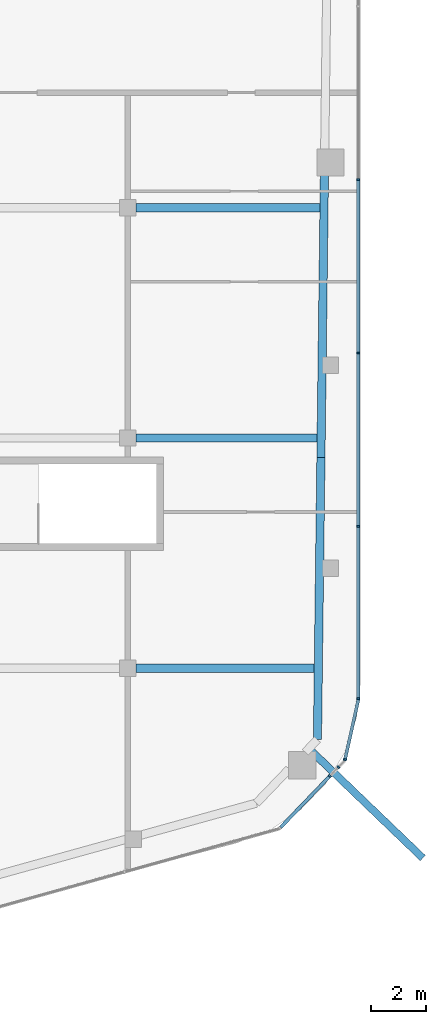
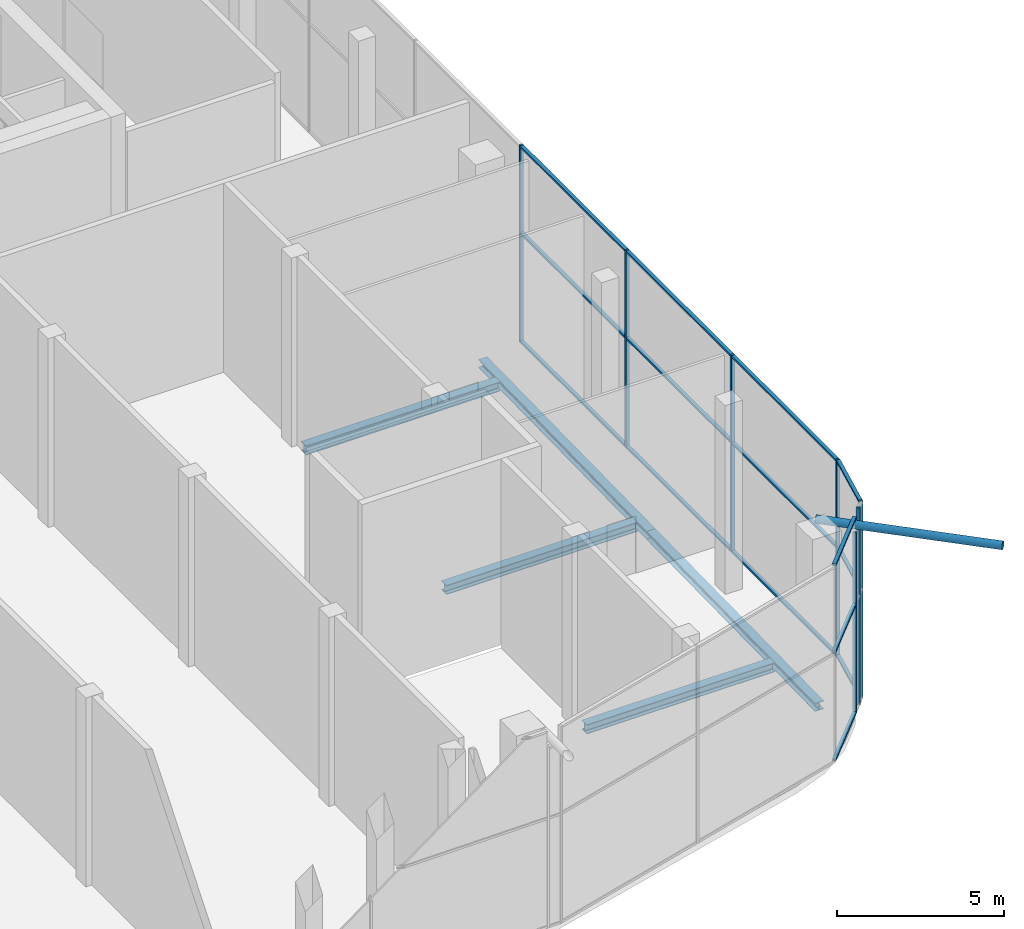
# One storey, part 6 of 23: 23 members, 5 beams, 5 elements without a shape of their own.
"""IFC4 building model written with IfcOpenShell, lengths in metres."""

from ifc_helpers import new_model, si_unit, direction, frame, origin, origin_2d, place, context, subcontext, project, spatial, rectangle, hollow_circle, i_section, extrude, material, layer, layer_set, material_profile, profile_set, type_object, element, aggregate, save


model = new_model("IFC4")

# Units and contexts
model_context = context("Model", 3, precision=1e-05, world=origin(), true_north=direction((0.0, 1.0)))
body_context = subcontext(model_context, "Body", "Model", "MODEL_VIEW")
ifc_project = project(units=[si_unit("LENGTHUNIT", "METRE"), si_unit("AREAUNIT", "SQUARE_METRE"), si_unit("VOLUMEUNIT", "CUBIC_METRE"), si_unit("PLANEANGLEUNIT", "RADIAN"), si_unit("MASSUNIT", "GRAM", prefix="KILO")], contexts=[model_context])

# Site, building, storey
site_placement = place(None, origin())
site = spatial("IfcSite", under=ifc_project, at=site_placement, CompositionType="ELEMENT")
building_placement = place(site_placement, origin())
building = spatial("IfcBuilding", under=site, at=building_placement, Name="Marenta Gate Hotel Tower", CompositionType="ELEMENT")
storey_placement = place(building_placement, frame((0.0, 0.0, 288.5)))
storey = spatial("IfcBuildingStorey", under=building, at=storey_placement, Name="L66", CompositionType="ELEMENT", Elevation=288.5)

# Beams
ifc_material_1 = material(Name="Steel S355", Category="steel")
ifc_material_profile_1 = material_profile(ifc_material_1, i_section(OverallWidth=0.300048828125, OverallDepth=0.300048828125, WebThickness=0.010986328125, FlangeThickness=0.01904296875, FilletRadius=0.027099609375, at=origin_2d()), Name="HEB 300")
ifc_profile_set_1 = profile_set([ifc_material_profile_1], Name="Steel S355")
beam_type_1 = type_object("IfcBeamType", Name="Edge beam HEB 300", PredefinedType="SPANDREL", material=ifc_profile_set_1)
beam_1_placement = place(storey_placement, frame((19.778564453125, -7.2099609375, -0.409912109375), z_axis=(-0.012355276471, -0.999923670659, 0.0), x_axis=(0.999923670659, -0.012355276471, 0.0)))
element("IfcBeam", 1, at=beam_1_placement, inside=storey, type_object=beam_type_1, Name="L66-EB-25", PredefinedType="SPANDREL", context=body_context, shape_type="SweptSolid", body=[
    extrude(i_section(OverallWidth=0.300048828125, OverallDepth=0.300048828125, WebThickness=0.010986328125, FlangeThickness=0.01904296875, FilletRadius=0.027099609375, at=origin_2d()), origin(), (0.0, 0.0, 1.0), 10.294921875),
])
beam_2_placement = place(storey_placement, frame((19.6513671875, -17.504150390625, -0.409912109375), z_axis=(-0.01233127313, -0.999923966961, 0.0), x_axis=(0.999923966961, -0.01233127313, 0.0)))
element("IfcBeam", 2, at=beam_2_placement, inside=storey, type_object=beam_type_1, Name="L66-EB-26", PredefinedType="SPANDREL", context=body_context, shape_type="SweptSolid", body=[
    extrude(i_section(OverallWidth=0.300048828125, OverallDepth=0.300048828125, WebThickness=0.010986328125, FlangeThickness=0.01904296875, FilletRadius=0.027099609375, at=origin_2d()), origin(), (0.0, 0.0, 1.0), 10.295166015625),
])

# Member
ifc_material_2 = material(Name="Steel S355J2W", Category="steel")
ifc_material_profile_2 = material_profile(ifc_material_2, hollow_circle(Radius=0.136474609375, WallThickness=0.012451171875, at=origin_2d()), Name="CHS 273x12.5")
ifc_profile_set_2 = profile_set([ifc_material_profile_2], Name="Steel S355J2W")
member_type_1 = type_object("IfcMemberType", Name="Floor tie CHS 273x12.5", PredefinedType="STRUT", material=ifc_profile_set_2)
member_1_placement = place(storey_placement, frame((23.3701171875, -32.123291015625, 6.739990234375), z_axis=(-0.721361926725, 0.692558279621, 0.0), x_axis=(-0.692558279621, -0.721361926725, 0.0)))
element("IfcMember", 3, at=member_1_placement, inside=storey, type_object=member_type_1, Name="L66-DR-2", PredefinedType="STRUT", context=body_context, shape_type="SweptSolid", body=[
    extrude(hollow_circle(Radius=0.136474609375, WallThickness=0.012451171875, at=origin_2d()), origin(), (0.0, 0.0, 1.0), 5.763671875),
])

# Beams
ifc_material_3 = material(Name="Steel S355", Category="steel")
ifc_material_profile_3 = material_profile(ifc_material_3, i_section(OverallWidth=0.300048828125, OverallDepth=0.340087890625, WebThickness=0.011962890625, FlangeThickness=0.021484375, FilletRadius=0.027099609375, at=origin_2d()), Name="HEB 340")
ifc_profile_set_3 = profile_set([ifc_material_profile_3], Name="Steel S355")
beam_type_2 = type_object("IfcBeamType", Name="Girder HEB 340", PredefinedType="BEAM", material=ifc_profile_set_3)
beam_3_placement = place(storey_placement, frame((12.89990234375, -25.199951171875, -0.429931640625), z_axis=(1.0, 0.0, 0.0), x_axis=(0.0, 1.0, 0.0)))
element("IfcBeam", 4, at=beam_3_placement, inside=storey, type_object=beam_type_2, Name="L66-GD-5", PredefinedType="BEAM", context=body_context, shape_type="SweptSolid", body=[
    extrude(i_section(OverallWidth=0.300048828125, OverallDepth=0.340087890625, WebThickness=0.011962890625, FlangeThickness=0.021484375, FilletRadius=0.027099609375, at=origin_2d()), origin(), (0.0, 0.0, 1.0), 6.506591796875),
])
beam_4_placement = place(storey_placement, frame((12.89990234375, -16.800048828125, -0.429931640625), z_axis=(1.0, 0.0, 0.0), x_axis=(0.0, 1.0, 0.0)))
element("IfcBeam", 5, at=beam_4_placement, inside=storey, type_object=beam_type_2, Name="L66-GD-10", PredefinedType="BEAM", context=body_context, shape_type="SweptSolid", body=[
    extrude(i_section(OverallWidth=0.300048828125, OverallDepth=0.340087890625, WebThickness=0.011962890625, FlangeThickness=0.021484375, FilletRadius=0.027099609375, at=origin_2d()), origin(), (0.0, 0.0, 1.0), 6.6103515625),
])
beam_5_placement = place(storey_placement, frame((12.89990234375, -8.39990234375, -0.429931640625), z_axis=(1.0, 0.0, 0.0), x_axis=(0.0, 1.0, 0.0)))
element("IfcBeam", 6, at=beam_5_placement, inside=storey, type_object=beam_type_2, Name="L66-GD-15", PredefinedType="BEAM", context=body_context, shape_type="SweptSolid", body=[
    extrude(i_section(OverallWidth=0.300048828125, OverallDepth=0.340087890625, WebThickness=0.011962890625, FlangeThickness=0.021484375, FilletRadius=0.027099609375, at=origin_2d()), origin(), (0.0, 0.0, 1.0), 6.7138671875),
])

# Curtain wall, member
ifc_material_4 = material(Name="Tinted insulated glass in bronze anodised frame", Category="glass")
ifc_layer = layer(ifc_material_4, 0.1201171875)
ifc_layer_set = layer_set([ifc_layer], Name="Tinted insulated glass in bronze anodised frame")
curtain_wall_type = type_object("IfcCurtainWallType", Name="Sky restaurant glazing CW4", PredefinedType="NOTDEFINED", material=ifc_layer_set)
curtain_wall_1_placement = place(storey_placement, origin())
curtain_wall_1 = element("IfcCurtainWall", 7, at=curtain_wall_1_placement, inside=storey, type_object=curtain_wall_type, Name="CW4 run G16", PredefinedType="NOTDEFINED")
ifc_material_5 = material(Name="Bronze anodised aluminium", Category="aluminium")
ifc_material_profile_4 = material_profile(ifc_material_5, rectangle(XDim=0.1201171875, YDim=0.070068359375, at=origin_2d()), Name="Mullion CW4 70x120 bronze anodised aluminium")
ifc_profile_set_4 = profile_set([ifc_material_profile_4], Name="Bronze anodised aluminium")
member_type_2 = type_object("IfcMemberType", Name="Mullion CW4 70x120 bronze anodised aluminium", PredefinedType="MULLION", material=ifc_profile_set_4)
member_2_placement = place(storey_placement, frame((19.9775390625, -29.1318359375, 0.0), z_axis=(0.0, 0.0, 1.0), x_axis=(-0.721418199888, 0.692499661278, 0.0)))
member_2 = element("IfcMember", 8, at=member_2_placement, type_object=member_type_2, Name="CW4 mullion 1", PredefinedType="MULLION", context=body_context, shape_type="SweptSolid", body=[
    extrude(rectangle(XDim=0.1201171875, YDim=0.070068359375, at=origin_2d()), origin(), (0.0, 0.0, 1.0), 6.6005859375),
])
aggregate(curtain_wall_1, [member_2])

curtain_wall_2_placement = place(storey_placement, origin())
curtain_wall_2 = element("IfcCurtainWall", 9, at=curtain_wall_2_placement, inside=storey, type_object=curtain_wall_type, Name="CW4 run G17", PredefinedType="NOTDEFINED")
member_3_placement = place(storey_placement, frame((20.291259765625, -28.804931640625, 0.0), z_axis=(0.0, 0.0, 1.0), x_axis=(-0.721321723155, 0.692600152834, 0.0)))
member_3 = element("IfcMember", 10, at=member_3_placement, type_object=member_type_2, Name="CW4 mullion 1", PredefinedType="MULLION", context=body_context, shape_type="SweptSolid", body=[
    extrude(rectangle(XDim=0.1201171875, YDim=0.070068359375, at=origin_2d()), origin(), (0.0, 0.0, 1.0), 7.199951171875),
])
aggregate(curtain_wall_2, [member_3])

curtain_wall_3_placement = place(storey_placement, origin())
curtain_wall_3 = element("IfcCurtainWall", 11, at=curtain_wall_3_placement, inside=storey, type_object=curtain_wall_type, Name="CW4 run G18", PredefinedType="NOTDEFINED")
member_4_placement = place(storey_placement, frame((20.52783203125, -28.5322265625, 0.0), z_axis=(0.0, 0.0, 1.0), x_axis=(-0.97620669183, 0.216842096529, 0.0)))
member_4 = element("IfcMember", 12, at=member_4_placement, type_object=member_type_2, Name="CW4 mullion 1", PredefinedType="MULLION", context=body_context, shape_type="SweptSolid", body=[
    extrude(rectangle(XDim=0.1201171875, YDim=0.070068359375, at=origin_2d()), origin(), (0.0, 0.0, 1.0), 7.199951171875),
])

# Curtain wall, members
curtain_wall_4_placement = place(storey_placement, origin())
curtain_wall_4 = element("IfcCurtainWall", 13, at=curtain_wall_4_placement, inside=storey, type_object=curtain_wall_type, Name="CW4 run G19", PredefinedType="NOTDEFINED")
member_5_placement = place(storey_placement, frame((21.013916015625, -26.308837890625, 0.0), z_axis=(0.0, 0.0, 1.0), x_axis=(-1.0, 0.0, 0.0)))
member_5 = element("IfcMember", 14, at=member_5_placement, type_object=member_type_2, Name="CW4 mullion 1", PredefinedType="MULLION", context=body_context, shape_type="SweptSolid", body=[
    extrude(rectangle(XDim=0.1201171875, YDim=0.070068359375, at=origin_2d()), origin(), (0.0, 0.0, 1.0), 7.199951171875),
])
member_6_placement = place(storey_placement, frame((21.013916015625, -20.021240234375, 0.0), z_axis=(0.0, 0.0, 1.0), x_axis=(-1.0, 0.0, 0.0)))
member_6 = element("IfcMember", 15, at=member_6_placement, type_object=member_type_2, Name="CW4 mullion 2", PredefinedType="MULLION", context=body_context, shape_type="SweptSolid", body=[
    extrude(rectangle(XDim=0.1201171875, YDim=0.070068359375, at=origin_2d()), origin(), (0.0, 0.0, 1.0), 7.199951171875),
])
member_7_placement = place(storey_placement, frame((21.013916015625, -13.69873046875, 0.0), z_axis=(0.0, 0.0, 1.0), x_axis=(-1.0, 0.0, 0.0)))
member_7 = element("IfcMember", 16, at=member_7_placement, type_object=member_type_2, Name="CW4 mullion 3", PredefinedType="MULLION", context=body_context, shape_type="SweptSolid", body=[
    extrude(rectangle(XDim=0.1201171875, YDim=0.070068359375, at=origin_2d()), origin(), (0.0, 0.0, 1.0), 7.199951171875),
])
member_8_placement = place(storey_placement, frame((21.013916015625, -7.3759765625, 0.0), z_axis=(0.0, 0.0, 1.0), x_axis=(-1.0, 0.0, 0.0)))
member_8 = element("IfcMember", 17, at=member_8_placement, type_object=member_type_2, Name="CW4 mullion 4", PredefinedType="MULLION", context=body_context, shape_type="SweptSolid", body=[
    extrude(rectangle(XDim=0.1201171875, YDim=0.070068359375, at=origin_2d()), origin(), (0.0, 0.0, 1.0), 7.199951171875),
])

curtain_wall_5_placement = place(storey_placement, origin())
curtain_wall_5 = element("IfcCurtainWall", 18, at=curtain_wall_5_placement, inside=storey, type_object=curtain_wall_type, Name="CW4 run G15", PredefinedType="NOTDEFINED")
ifc_material_6 = material(Name="Bronze anodised aluminium", Category="aluminium")
ifc_material_profile_5 = material_profile(ifc_material_6, rectangle(XDim=0.1201171875, YDim=0.070068359375, at=origin_2d()), Name="Transom CW4 70x120 bronze anodised aluminium")
ifc_profile_set_5 = profile_set([ifc_material_profile_5], Name="Bronze anodised aluminium")
member_type_3 = type_object("IfcMemberType", Name="Transom CW4 70x120 bronze anodised aluminium", PredefinedType="USERDEFINED", material=ifc_profile_set_5)
member_9_placement = place(storey_placement, frame((18.1806640625, -31.00341796875, 0.034912109375), z_axis=(0.69255763845, 0.721362542294, 0.0), x_axis=(-0.721362542294, 0.69255763845, 0.0)))
member_9 = element("IfcMember", 19, at=member_9_placement, type_object=member_type_3, Name="CW4 transom 1.1", ObjectType="TRANSOM", PredefinedType="USERDEFINED", context=body_context, shape_type="SweptSolid", body=[
    extrude(rectangle(XDim=0.1201171875, YDim=0.070068359375, at=origin_2d()), origin(), (0.0, 0.0, 1.0), 2.5595703125),
])
member_10_placement = place(storey_placement, frame((18.1806640625, -31.00341796875, 4.0), z_axis=(0.69255763845, 0.721362542294, 0.0), x_axis=(-0.721362542294, 0.69255763845, 0.0)))
member_10 = element("IfcMember", 20, at=member_10_placement, type_object=member_type_3, Name="CW4 transom 1.2", ObjectType="TRANSOM", PredefinedType="USERDEFINED", context=body_context, shape_type="SweptSolid", body=[
    extrude(rectangle(XDim=0.1201171875, YDim=0.070068359375, at=origin_2d()), origin(), (0.0, 0.0, 1.0), 2.5595703125),
])
member_11_placement = place(storey_placement, frame((18.1806640625, -31.00341796875, 7.1650390625), z_axis=(0.69255763845, 0.721362542294, 0.0), x_axis=(-0.721362542294, 0.69255763845, 0.0)))
member_11 = element("IfcMember", 21, at=member_11_placement, type_object=member_type_3, Name="CW4 transom 1.3", ObjectType="TRANSOM", PredefinedType="USERDEFINED", context=body_context, shape_type="SweptSolid", body=[
    extrude(rectangle(XDim=0.1201171875, YDim=0.070068359375, at=origin_2d()), origin(), (0.0, 0.0, 1.0), 2.5595703125),
])
aggregate(curtain_wall_5, [member_9, member_10, member_11])

# Member
member_12_placement = place(storey_placement, frame((20.535400390625, -28.498046875, 0.034912109375), z_axis=(0.216860166446, 0.976202677833, 0.0), x_axis=(-0.976202677833, 0.216860166446, 0.0)))
member_12 = element("IfcMember", 22, at=member_12_placement, type_object=member_type_3, Name="CW4 transom 1.1", ObjectType="TRANSOM", PredefinedType="USERDEFINED", context=body_context, shape_type="SweptSolid", body=[
    extrude(rectangle(XDim=0.1201171875, YDim=0.070068359375, at=origin_2d()), origin(), (0.0, 0.0, 1.0), 2.20654296875),
])

member_13_placement = place(storey_placement, frame((20.535400390625, -28.498046875, 4.0), z_axis=(0.216860166446, 0.976202677833, 0.0), x_axis=(-0.976202677833, 0.216860166446, 0.0)))
member_13 = element("IfcMember", 23, at=member_13_placement, type_object=member_type_3, Name="CW4 transom 1.2", ObjectType="TRANSOM", PredefinedType="USERDEFINED", context=body_context, shape_type="SweptSolid", body=[
    extrude(rectangle(XDim=0.1201171875, YDim=0.070068359375, at=origin_2d()), origin(), (0.0, 0.0, 1.0), 2.20654296875),
])

member_14_placement = place(storey_placement, frame((20.535400390625, -28.498046875, 7.1650390625), z_axis=(0.216860166446, 0.976202677833, 0.0), x_axis=(-0.976202677833, 0.216860166446, 0.0)))
member_14 = element("IfcMember", 24, at=member_14_placement, type_object=member_type_3, Name="CW4 transom 1.3", ObjectType="TRANSOM", PredefinedType="USERDEFINED", context=body_context, shape_type="SweptSolid", body=[
    extrude(rectangle(XDim=0.1201171875, YDim=0.070068359375, at=origin_2d()), origin(), (0.0, 0.0, 1.0), 2.20654296875),
])

aggregate(curtain_wall_3, [member_4, member_12, member_13, member_14])

member_15_placement = place(storey_placement, frame((21.013916015625, -26.27392578125, 0.034912109375), z_axis=(0.0, 1.0, 0.0), x_axis=(-1.0, 0.0, 0.0)))
member_15 = element("IfcMember", 25, at=member_15_placement, type_object=member_type_3, Name="CW4 transom 1.1", ObjectType="TRANSOM", PredefinedType="USERDEFINED", context=body_context, shape_type="SweptSolid", body=[
    extrude(rectangle(XDim=0.1201171875, YDim=0.070068359375, at=origin_2d()), origin(), (0.0, 0.0, 1.0), 6.2177734375),
])

member_16_placement = place(storey_placement, frame((21.013916015625, -26.27392578125, 4.0), z_axis=(0.0, 1.0, 0.0), x_axis=(-1.0, 0.0, 0.0)))
member_16 = element("IfcMember", 26, at=member_16_placement, type_object=member_type_3, Name="CW4 transom 1.2", ObjectType="TRANSOM", PredefinedType="USERDEFINED", context=body_context, shape_type="SweptSolid", body=[
    extrude(rectangle(XDim=0.1201171875, YDim=0.070068359375, at=origin_2d()), origin(), (0.0, 0.0, 1.0), 6.2177734375),
])

member_17_placement = place(storey_placement, frame((21.013916015625, -26.27392578125, 7.1650390625), z_axis=(0.0, 1.0, 0.0), x_axis=(-1.0, 0.0, 0.0)))
member_17 = element("IfcMember", 27, at=member_17_placement, type_object=member_type_3, Name="CW4 transom 1.3", ObjectType="TRANSOM", PredefinedType="USERDEFINED", context=body_context, shape_type="SweptSolid", body=[
    extrude(rectangle(XDim=0.1201171875, YDim=0.070068359375, at=origin_2d()), origin(), (0.0, 0.0, 1.0), 6.2177734375),
])

member_18_placement = place(storey_placement, frame((21.013916015625, -19.986328125, 0.034912109375), z_axis=(0.0, 1.0, 0.0), x_axis=(-1.0, 0.0, 0.0)))
member_18 = element("IfcMember", 28, at=member_18_placement, type_object=member_type_3, Name="CW4 transom 2.1", ObjectType="TRANSOM", PredefinedType="USERDEFINED", context=body_context, shape_type="SweptSolid", body=[
    extrude(rectangle(XDim=0.1201171875, YDim=0.070068359375, at=origin_2d()), origin(), (0.0, 0.0, 1.0), 6.252685546875),
])

member_19_placement = place(storey_placement, frame((21.013916015625, -19.986328125, 4.0), z_axis=(0.0, 1.0, 0.0), x_axis=(-1.0, 0.0, 0.0)))
member_19 = element("IfcMember", 29, at=member_19_placement, type_object=member_type_3, Name="CW4 transom 2.2", ObjectType="TRANSOM", PredefinedType="USERDEFINED", context=body_context, shape_type="SweptSolid", body=[
    extrude(rectangle(XDim=0.1201171875, YDim=0.070068359375, at=origin_2d()), origin(), (0.0, 0.0, 1.0), 6.252685546875),
])

member_20_placement = place(storey_placement, frame((21.013916015625, -19.986328125, 7.1650390625), z_axis=(0.0, 1.0, 0.0), x_axis=(-1.0, 0.0, 0.0)))
member_20 = element("IfcMember", 30, at=member_20_placement, type_object=member_type_3, Name="CW4 transom 2.3", ObjectType="TRANSOM", PredefinedType="USERDEFINED", context=body_context, shape_type="SweptSolid", body=[
    extrude(rectangle(XDim=0.1201171875, YDim=0.070068359375, at=origin_2d()), origin(), (0.0, 0.0, 1.0), 6.252685546875),
])

member_21_placement = place(storey_placement, frame((21.013916015625, -13.66357421875, 0.034912109375), z_axis=(0.0, 1.0, 0.0), x_axis=(-1.0, 0.0, 0.0)))
member_21 = element("IfcMember", 31, at=member_21_placement, type_object=member_type_3, Name="CW4 transom 3.1", ObjectType="TRANSOM", PredefinedType="USERDEFINED", context=body_context, shape_type="SweptSolid", body=[
    extrude(rectangle(XDim=0.1201171875, YDim=0.070068359375, at=origin_2d()), origin(), (0.0, 0.0, 1.0), 6.252685546875),
])

member_22_placement = place(storey_placement, frame((21.013916015625, -13.66357421875, 4.0), z_axis=(0.0, 1.0, 0.0), x_axis=(-1.0, 0.0, 0.0)))
member_22 = element("IfcMember", 32, at=member_22_placement, type_object=member_type_3, Name="CW4 transom 3.2", ObjectType="TRANSOM", PredefinedType="USERDEFINED", context=body_context, shape_type="SweptSolid", body=[
    extrude(rectangle(XDim=0.1201171875, YDim=0.070068359375, at=origin_2d()), origin(), (0.0, 0.0, 1.0), 6.252685546875),
])

member_23_placement = place(storey_placement, frame((21.013916015625, -13.66357421875, 7.1650390625), z_axis=(0.0, 1.0, 0.0), x_axis=(-1.0, 0.0, 0.0)))
member_23 = element("IfcMember", 33, at=member_23_placement, type_object=member_type_3, Name="CW4 transom 3.3", ObjectType="TRANSOM", PredefinedType="USERDEFINED", context=body_context, shape_type="SweptSolid", body=[
    extrude(rectangle(XDim=0.1201171875, YDim=0.070068359375, at=origin_2d()), origin(), (0.0, 0.0, 1.0), 6.252685546875),
])

aggregate(curtain_wall_4, [member_5, member_6, member_7, member_8, member_15, member_16, member_17, member_18, member_19, member_20, member_21, member_22, member_23])

save(model, "model.ifc")
